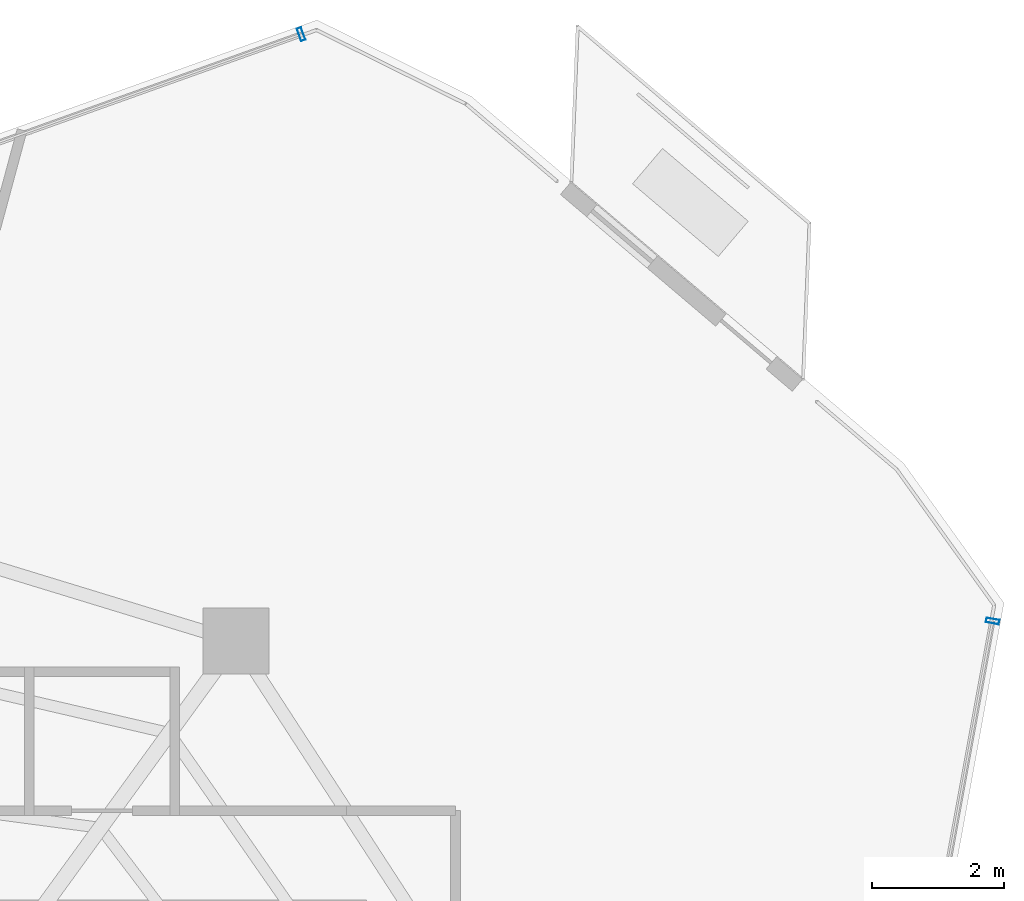
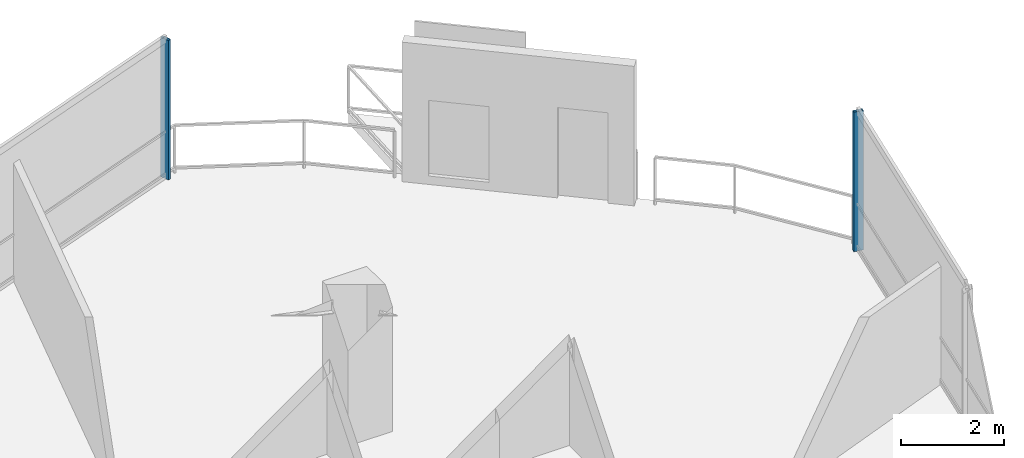
# One storey, part 15 of 21: 2 members, 2 elements without a shape of their own.
"""IFC4 building model written with IfcOpenShell, lengths in metres."""

from ifc_helpers import new_model, si_unit, direction, frame, origin, origin_2d, place, context, subcontext, project, spatial, hollow_rectangle, extrude, material, layer, layer_set, material_profile, profile_set, type_object, element, aggregate, save


model = new_model("IFC4")

# Units and contexts
model_context = context("Model", 3, precision=1e-05, world=origin(), true_north=direction((0.0, 1.0)))
body_context = subcontext(model_context, "Body", "Model", "MODEL_VIEW")
ifc_project = project(units=[si_unit("LENGTHUNIT", "METRE"), si_unit("AREAUNIT", "SQUARE_METRE"), si_unit("VOLUMEUNIT", "CUBIC_METRE"), si_unit("PLANEANGLEUNIT", "RADIAN"), si_unit("MASSUNIT", "GRAM", prefix="KILO")], contexts=[model_context])

# Site, building, storey
site_placement = place(None, origin())
site = spatial("IfcSite", under=ifc_project, at=site_placement, CompositionType="ELEMENT")
building_placement = place(site_placement, origin())
building = spatial("IfcBuilding", under=site, at=building_placement, Name="Qarnah Convention Tower", CompositionType="ELEMENT")
storey_placement = place(building_placement, frame((0.0, 0.0, 140.10009765625)))
storey = spatial("IfcBuildingStorey", under=building, at=storey_placement, Name="L37", CompositionType="ELEMENT", Elevation=140.10009765625)

# Curtain wall, member
ifc_material_1 = material(Name="Tempered Low-E dark glass", Category="glass")
ifc_layer = layer(ifc_material_1, 0.172119140625)
ifc_layer_set = layer_set([ifc_layer], Name="Tempered Low-E dark glass")
curtain_wall_type = type_object("IfcCurtainWallType", Name="CWS-03", PredefinedType="NOTDEFINED", material=ifc_layer_set)
curtain_wall_1_placement = place(storey_placement, origin())
curtain_wall_1 = element("IfcCurtainWall", 1, at=curtain_wall_1_placement, inside=storey, type_object=curtain_wall_type, Name="L37 unitised curtain wall CW-L37-F1", PredefinedType="NOTDEFINED")
ifc_material_2 = material(Name="Black anodised aluminium", Category="aluminium")
ifc_material_profile = material_profile(ifc_material_2, hollow_rectangle(XDim=0.070068359375, YDim=0.199951171875, WallThickness=0.0048828125, at=origin_2d()), Name="MUL-70X200")
ifc_profile_set = profile_set([ifc_material_profile], Name="Black anodised aluminium")
member_type = type_object("IfcMemberType", Name="MUL-T3", PredefinedType="MULLION", material=ifc_profile_set)
member_1_placement = place(storey_placement, frame((57.37109375, 38.718017578125, 0.0), z_axis=(0.0, 0.0, 1.0), x_axis=(-0.179132646464, -0.983824931058, 0.0)))
member_1 = element("IfcMember", 2, at=member_1_placement, type_object=member_type, Name="CW-L37-F1 mullion 1", PredefinedType="MULLION", context=body_context, shape_type="SweptSolid", body=[
    extrude(hollow_rectangle(XDim=0.070068359375, YDim=0.199951171875, WallThickness=0.0048828125, at=origin_2d()), origin(), (0.0, 0.0, 1.0), 3.31982421875),
])
aggregate(curtain_wall_1, [member_1])

curtain_wall_2_placement = place(storey_placement, origin())
curtain_wall_2 = element("IfcCurtainWall", 3, at=curtain_wall_2_placement, inside=storey, type_object=curtain_wall_type, Name="L37 unitised curtain wall CW-L37-F3", PredefinedType="NOTDEFINED")
member_2_placement = place(storey_placement, frame((46.912109375, 47.594970703125, 0.0), z_axis=(0.0, 0.0, 1.0), x_axis=(0.941577546205, 0.336796265543, 0.0)))
member_2 = element("IfcMember", 4, at=member_2_placement, type_object=member_type, Name="CW-L37-F3 mullion 6", PredefinedType="MULLION", context=body_context, shape_type="SweptSolid", body=[
    extrude(hollow_rectangle(XDim=0.070068359375, YDim=0.199951171875, WallThickness=0.0048828125, at=origin_2d()), origin(), (0.0, 0.0, 1.0), 3.31982421875),
])
aggregate(curtain_wall_2, [member_2])

save(model, "model.ifc")
